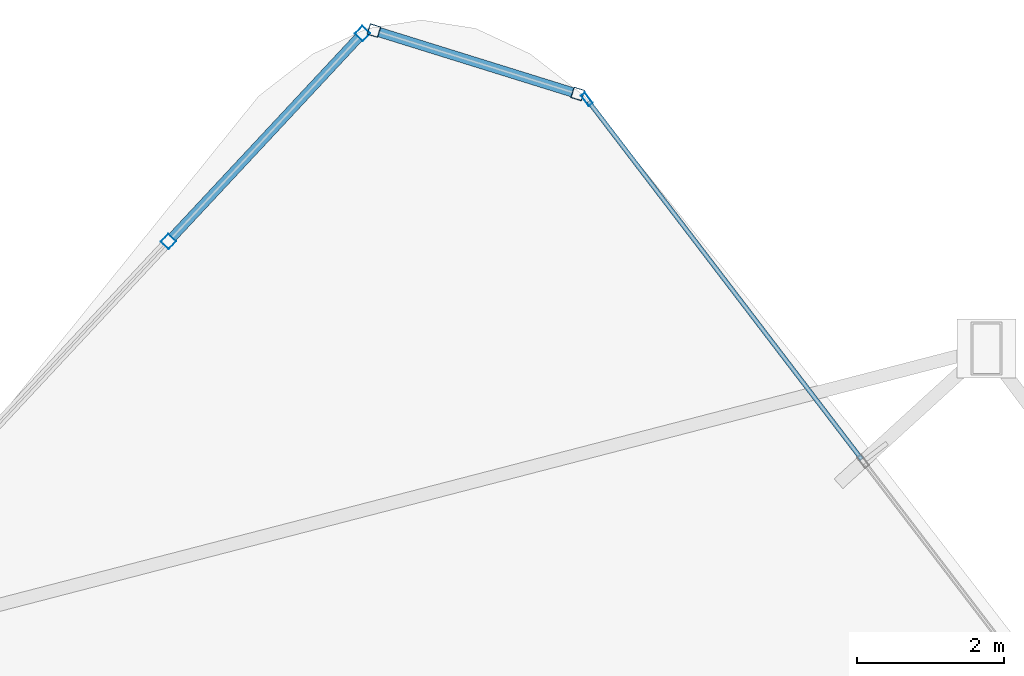
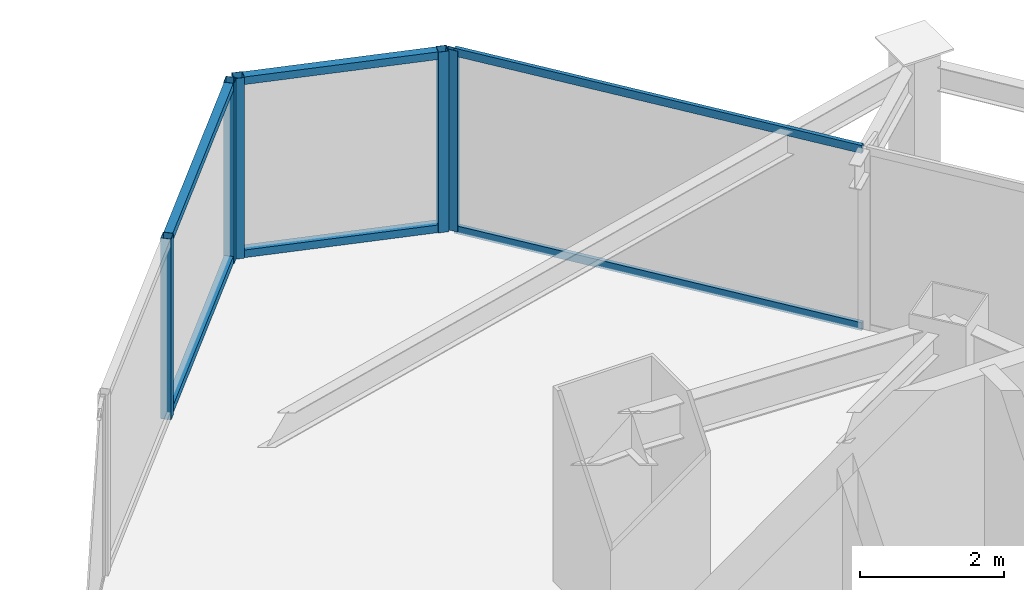
# One storey, part 23 of 33: 11 members, 3 elements without a shape of their own.
"""IFC4 building model written with IfcOpenShell, lengths in metres."""

from ifc_helpers import new_model, si_unit, direction, frame, origin, origin_2d, place, context, subcontext, project, spatial, hollow_rectangle, extrude, material, layer, layer_set, material_profile, profile_set, type_object, element, aggregate, save


model = new_model("IFC4")

# Units and contexts
model_context = context("Model", 3, precision=1e-05, world=origin(), true_north=direction((0.0, 1.0)))
body_context = subcontext(model_context, "Body", "Model", "MODEL_VIEW")
ifc_project = project(units=[si_unit("LENGTHUNIT", "METRE"), si_unit("AREAUNIT", "SQUARE_METRE"), si_unit("VOLUMEUNIT", "CUBIC_METRE"), si_unit("PLANEANGLEUNIT", "RADIAN"), si_unit("MASSUNIT", "GRAM", prefix="KILO")], contexts=[model_context])

# Site, building, storey
site_placement = place(None, origin())
site = spatial("IfcSite", under=ifc_project, at=site_placement, CompositionType="ELEMENT")
building_placement = place(site_placement, origin())
building = spatial("IfcBuilding", under=site, at=building_placement, Name="Orvanel Arch Residences", CompositionType="ELEMENT")
storey_placement = place(building_placement, frame((0.0, 0.0, 70.85009765625)))
storey = spatial("IfcBuildingStorey", under=building, at=storey_placement, Name="L19", CompositionType="ELEMENT", Elevation=70.85009765625)

# Curtain wall, members
ifc_material = material(Name="Bronze-anodised aluminium AA6063-T6", Category="aluminium")
ifc_layer_1 = layer(ifc_material, 0.18994140625)
ifc_layer_set_1 = layer_set([ifc_layer_1], Name="Bronze-anodised aluminium AA6063-T6")
curtain_wall_type_1 = type_object("IfcCurtainWallType", Name="CW5-CRN-SYS", PredefinedType="NOTDEFINED", material=ifc_layer_set_1)
curtain_wall_1_placement = place(storey_placement, origin())
curtain_wall_1 = element("IfcCurtainWall", 1, at=curtain_wall_1_placement, inside=storey, type_object=curtain_wall_type_1, Name="L19 CW5-CRN-SYS Unitised Curtain Wall", PredefinedType="NOTDEFINED")
ifc_material_profile_1 = material_profile(ifc_material, hollow_rectangle(XDim=0.14990234375, YDim=0.14990234375, WallThickness=0.0048828125, at=origin_2d()), Name="ALU150x150x5")
ifc_profile_set_1 = profile_set([ifc_material_profile_1], Name="Bronze-anodised aluminium AA6063-T6")
member_type_1 = type_object("IfcMemberType", Name="MUL-150x150", PredefinedType="MULLION", material=ifc_profile_set_1)
member_1_placement = place(storey_placement, frame((35.124267578125, 50.331298828125, 0.0), z_axis=(0.0, 0.0, 1.0), x_axis=(-0.297099736477, -0.954846451837, 0.0)))
member_1 = element("IfcMember", 2, at=member_1_placement, type_object=member_type_1, Name="CW-S5 mullion 1", PredefinedType="MULLION", context=body_context, shape_type="SweptSolid", body=[
    extrude(hollow_rectangle(XDim=0.14990234375, YDim=0.14990234375, WallThickness=0.0048828125, at=origin_2d()), origin(), (0.0, 0.0, 1.0), 3.059814453125),
])
member_2_placement = place(storey_placement, frame((32.3525390625, 51.193603515625, 0.0), z_axis=(0.0, 0.0, 1.0), x_axis=(-0.297099736477, -0.954846451837, 0.0)))
member_2 = element("IfcMember", 3, at=member_2_placement, type_object=member_type_1, Name="CW-S5 mullion 2", PredefinedType="MULLION", context=body_context, shape_type="SweptSolid", body=[
    extrude(hollow_rectangle(XDim=0.14990234375, YDim=0.14990234375, WallThickness=0.0048828125, at=origin_2d()), origin(), (0.0, 0.0, 1.0), 3.059814453125),
])

curtain_wall_2_placement = place(storey_placement, origin())
curtain_wall_2 = element("IfcCurtainWall", 4, at=curtain_wall_2_placement, inside=storey, type_object=curtain_wall_type_1, Name="L19 CW5-CRN-SYS Unitised Curtain Wall", PredefinedType="NOTDEFINED")
member_3_placement = place(storey_placement, frame((32.19677734375, 51.152099609375, 0.0), z_axis=(0.0, 0.0, 1.0), x_axis=(0.731034183828, -0.682340840105, 0.0)))
member_3 = element("IfcMember", 5, at=member_3_placement, type_object=member_type_1, Name="CW-S5 mullion 1", PredefinedType="MULLION", context=body_context, shape_type="SweptSolid", body=[
    extrude(hollow_rectangle(XDim=0.14990234375, YDim=0.14990234375, WallThickness=0.0048828125, at=origin_2d()), origin(), (0.0, 0.0, 1.0), 3.059814453125),
])
member_4_placement = place(storey_placement, frame((29.5576171875, 48.324462890625, 0.0), z_axis=(0.0, 0.0, 1.0), x_axis=(0.731034183828, -0.682340840105, 0.0)))
member_4 = element("IfcMember", 6, at=member_4_placement, type_object=member_type_1, Name="CW-S5 mullion 2", PredefinedType="MULLION", context=body_context, shape_type="SweptSolid", body=[
    extrude(hollow_rectangle(XDim=0.14990234375, YDim=0.14990234375, WallThickness=0.0048828125, at=origin_2d()), origin(), (0.0, 0.0, 1.0), 3.059814453125),
])

# Curtain wall, member
ifc_layer_2 = layer(ifc_material, 0.179931640625)
ifc_layer_set_2 = layer_set([ifc_layer_2], Name="Bronze-anodised aluminium AA6063-T6")
curtain_wall_type_2 = type_object("IfcCurtainWallType", Name="CW2-LOW-SYS", PredefinedType="NOTDEFINED", material=ifc_layer_set_2)
curtain_wall_3_placement = place(storey_placement, origin())
curtain_wall_3 = element("IfcCurtainWall", 7, at=curtain_wall_3_placement, inside=storey, type_object=curtain_wall_type_2, Name="L19 CW2-LOW-SYS Unitised Curtain Wall", PredefinedType="NOTDEFINED")
ifc_material_profile_2 = material_profile(ifc_material, hollow_rectangle(XDim=0.070068359375, YDim=0.179931640625, WallThickness=0.00439453125, at=origin_2d()), Name="ALU180x70x4.5")
ifc_profile_set_2 = profile_set([ifc_material_profile_2], Name="Bronze-anodised aluminium AA6063-T6")
member_type_2 = type_object("IfcMemberType", Name="MUL-180x70", PredefinedType="MULLION", material=ifc_profile_set_2)
member_5_placement = place(storey_placement, frame((35.248291015625, 50.25927734375, 0.0), z_axis=(0.0, 0.0, 1.0), x_axis=(-0.794898267581, -0.606742733122, 0.0)))
member_5 = element("IfcMember", 8, at=member_5_placement, type_object=member_type_2, Name="CW-S2 mullion 4", PredefinedType="MULLION", context=body_context, shape_type="SweptSolid", body=[
    extrude(hollow_rectangle(XDim=0.070068359375, YDim=0.179931640625, WallThickness=0.00439453125, at=origin_2d()), origin(), (0.0, 0.0, 1.0), 3.059814453125),
])

# Member
ifc_material_profile_3 = material_profile(ifc_material, hollow_rectangle(XDim=0.1298828125, YDim=0.1298828125, WallThickness=0.00439453125, at=origin_2d()), Name="ALU130x130x4.5")
ifc_profile_set_3 = profile_set([ifc_material_profile_3], Name="Bronze-anodised aluminium AA6063-T6")
member_type_3 = type_object("IfcMemberType", Name="TRN-130x130", PredefinedType="USERDEFINED", material=ifc_profile_set_3)
member_6_placement = place(storey_placement, frame((35.052734375, 50.353515625, 0.06494140625), z_axis=(-0.954842239685, 0.297113273541, 0.0), x_axis=(-0.297113273541, -0.954842239685, 0.0)))
member_6 = element("IfcMember", 9, at=member_6_placement, type_object=member_type_3, Name="CW-S5 transom 1.1", ObjectType="TRANSOM", PredefinedType="USERDEFINED", context=body_context, shape_type="SweptSolid", body=[
    extrude(hollow_rectangle(XDim=0.1298828125, YDim=0.1298828125, WallThickness=0.00439453125, at=origin_2d()), origin(), (0.0, 0.0, 1.0), 2.752685546875),
])

member_7_placement = place(storey_placement, frame((35.052734375, 50.353515625, 2.994873046875), z_axis=(-0.954842239685, 0.297113273541, 0.0), x_axis=(-0.297113273541, -0.954842239685, 0.0)))
member_7 = element("IfcMember", 10, at=member_7_placement, type_object=member_type_3, Name="CW-S5 transom 1.2", ObjectType="TRANSOM", PredefinedType="USERDEFINED", context=body_context, shape_type="SweptSolid", body=[
    extrude(hollow_rectangle(XDim=0.1298828125, YDim=0.1298828125, WallThickness=0.00439453125, at=origin_2d()), origin(), (0.0, 0.0, 1.0), 2.752685546875),
])

aggregate(curtain_wall_1, [member_1, member_2, member_6, member_7])

member_8_placement = place(storey_placement, frame((32.145751953125, 51.097412109375, 0.06494140625), z_axis=(-0.682360360302, -0.731015963361, 0.0), x_axis=(0.731015963361, -0.682360360302, 0.0)))
member_8 = element("IfcMember", 11, at=member_8_placement, type_object=member_type_3, Name="CW-S5 transom 1.1", ObjectType="TRANSOM", PredefinedType="USERDEFINED", context=body_context, shape_type="SweptSolid", body=[
    extrude(hollow_rectangle(XDim=0.1298828125, YDim=0.1298828125, WallThickness=0.00439453125, at=origin_2d()), origin(), (0.0, 0.0, 1.0), 3.718017578125),
])

member_9_placement = place(storey_placement, frame((32.145751953125, 51.097412109375, 2.994873046875), z_axis=(-0.682360360302, -0.731015963361, 0.0), x_axis=(0.731015963361, -0.682360360302, 0.0)))
member_9 = element("IfcMember", 12, at=member_9_placement, type_object=member_type_3, Name="CW-S5 transom 1.2", ObjectType="TRANSOM", PredefinedType="USERDEFINED", context=body_context, shape_type="SweptSolid", body=[
    extrude(hollow_rectangle(XDim=0.1298828125, YDim=0.1298828125, WallThickness=0.00439453125, at=origin_2d()), origin(), (0.0, 0.0, 1.0), 3.718017578125),
])

aggregate(curtain_wall_2, [member_3, member_4, member_8, member_9])

ifc_material_profile_4 = material_profile(ifc_material, hollow_rectangle(XDim=0.06005859375, YDim=0.135009765625, WallThickness=0.00390625, at=origin_2d()), Name="ALU135x60x4")
ifc_profile_set_4 = profile_set([ifc_material_profile_4], Name="Bronze-anodised aluminium AA6063-T6")
member_type_4 = type_object("IfcMemberType", Name="TRN-135x60", PredefinedType="USERDEFINED", material=ifc_profile_set_4)
member_10_placement = place(storey_placement, frame((38.985107421875, 45.363525390625, 0.02978515625), z_axis=(-0.606733650024, 0.794905200593, 0.0), x_axis=(-0.794905200593, -0.606733650024, 0.0)))
member_10 = element("IfcMember", 13, at=member_10_placement, type_object=member_type_4, Name="CW-S2 transom 3.1", ObjectType="TRANSOM", PredefinedType="USERDEFINED", context=body_context, shape_type="SweptSolid", body=[
    extrude(hollow_rectangle(XDim=0.06005859375, YDim=0.135009765625, WallThickness=0.00390625, at=origin_2d()), origin(), (0.0, 0.0, 1.0), 6.123779296875),
])

member_11_placement = place(storey_placement, frame((38.985107421875, 45.363525390625, 3.02978515625), z_axis=(-0.606733650024, 0.794905200593, 0.0), x_axis=(-0.794905200593, -0.606733650024, 0.0)))
member_11 = element("IfcMember", 14, at=member_11_placement, type_object=member_type_4, Name="CW-S2 transom 3.2", ObjectType="TRANSOM", PredefinedType="USERDEFINED", context=body_context, shape_type="SweptSolid", body=[
    extrude(hollow_rectangle(XDim=0.06005859375, YDim=0.135009765625, WallThickness=0.00390625, at=origin_2d()), origin(), (0.0, 0.0, 1.0), 6.123779296875),
])

aggregate(curtain_wall_3, [member_5, member_10, member_11])

save(model, "model.ifc")
